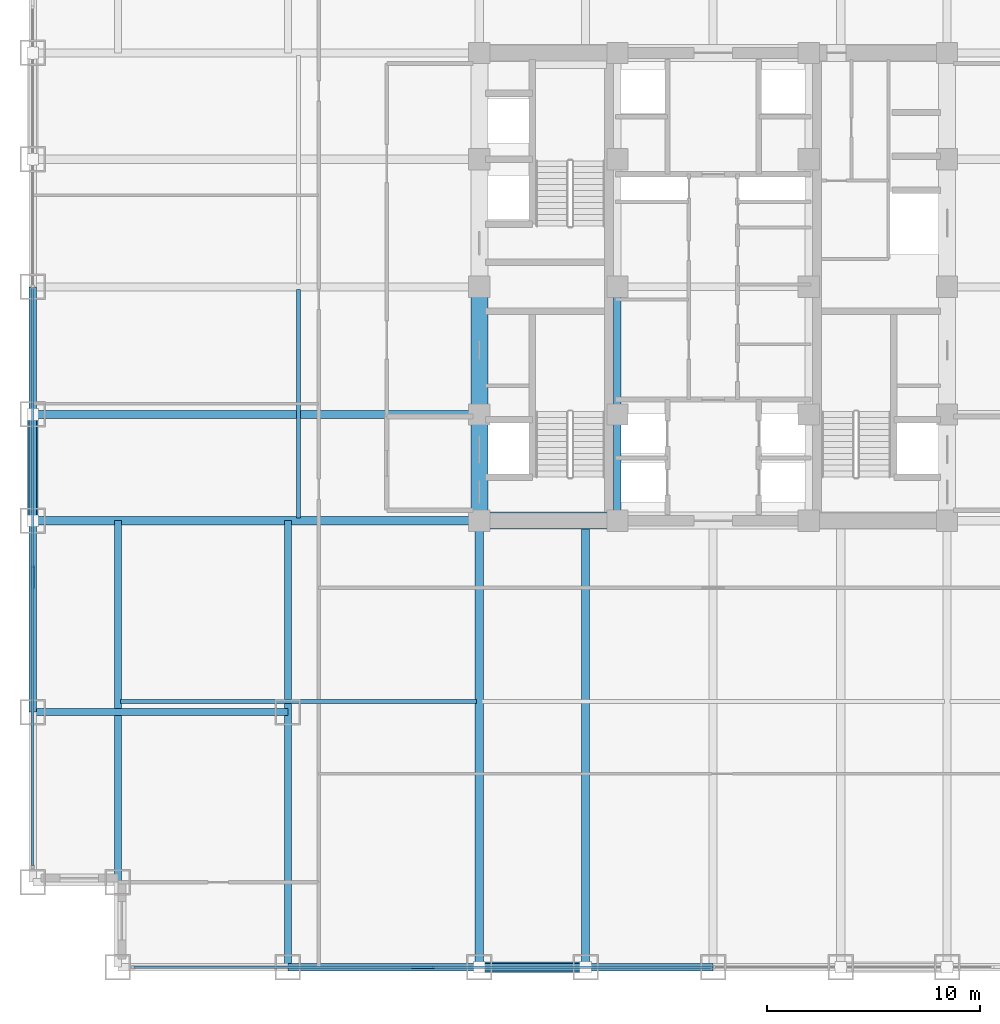
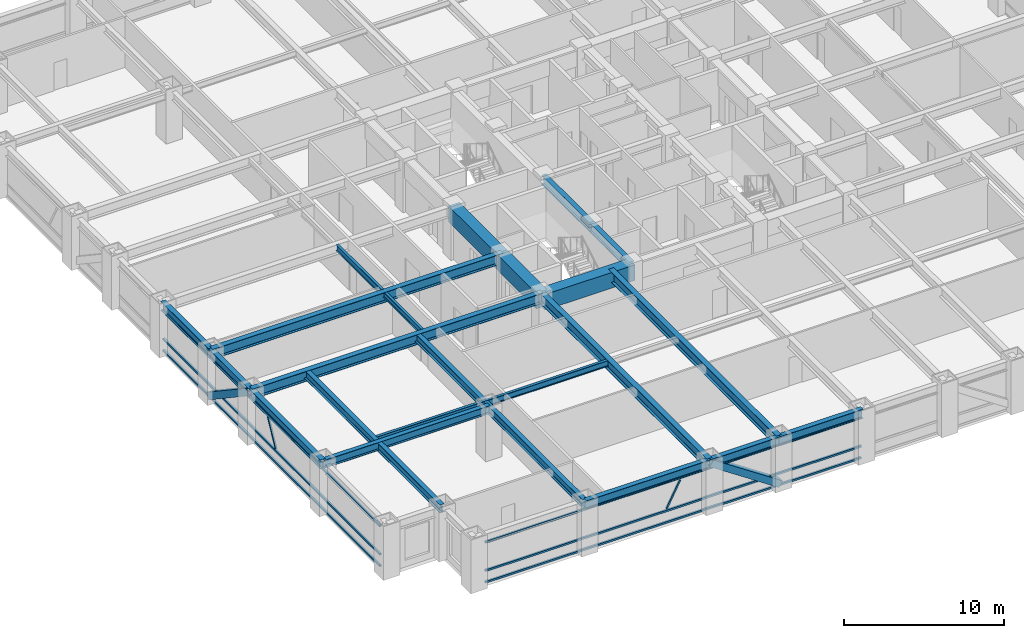
# One storey, part 3 of 28: 20 beams, 10 members, 2 elements without a shape of their own.
"""IFC4 building model written with IfcOpenShell, lengths in metres."""

from ifc_helpers import new_model, si_unit, direction, frame, origin, origin_2d, place, context, subcontext, project, spatial, rectangle, hollow_rectangle, i_section, extrude, source, transform, mapped, material, material_profile, profile_set, type_object, element, aggregate, save


model = new_model("IFC4")

# Units and contexts
model_context = context("Model", 3, precision=1e-05, world=origin(), true_north=direction((0.0, 1.0)))
body_context = subcontext(model_context, "Body", "Model", "MODEL_VIEW")
ifc_project = project(units=[si_unit("LENGTHUNIT", "METRE"), si_unit("AREAUNIT", "SQUARE_METRE"), si_unit("VOLUMEUNIT", "CUBIC_METRE"), si_unit("PLANEANGLEUNIT", "RADIAN"), si_unit("MASSUNIT", "GRAM", prefix="KILO")], contexts=[model_context])

# Site, building, storey
site_placement = place(None, origin())
site = spatial("IfcSite", under=ifc_project, at=site_placement, CompositionType="ELEMENT")
building_placement = place(site_placement, origin())
building = spatial("IfcBuilding", under=site, at=building_placement, Name="Khorayat Bourse Tower", CompositionType="ELEMENT")
storey_placement = place(building_placement, frame((0.0, 0.0, 124.199951171875)))
storey = spatial("IfcBuildingStorey", under=building, at=storey_placement, Name="L28", CompositionType="ELEMENT", Elevation=124.199951171875)

# Beams
ifc_material_1 = material(Name="Concrete C72/90", Category="concrete")
ifc_material_profile_1 = material_profile(ifc_material_1, rectangle(XDim=0.800048828125, YDim=1.199951171875, at=origin_2d()), Name="RC 800x1200")
ifc_profile_set_1 = profile_set([ifc_material_profile_1], Name="Concrete C72/90")
beam_type_1 = type_object("IfcBeamType", Name="BM-COUP-1200", PredefinedType="BEAM", material=ifc_profile_set_1)
shared_shape_1 = source(origin(), body_context, "Body", "SweptSolid", [
    extrude(rectangle(XDim=0.800048828125, YDim=1.199951171875, at=origin_2d()), origin(), (0.0, 0.0, 1.0), 5.0),
])
beam_1_placement = place(storey_placement, frame((-11.0, -11.0, 3.239990234375), z_axis=(0.0, 1.0, 0.0), x_axis=(-1.0, 0.0, 0.0)))
element("IfcBeam", 1, at=beam_1_placement, inside=storey, type_object=beam_type_1, Name="L28 BM-COUP-1200 BM-L28-CRX-01", PredefinedType="BEAM", context=body_context, shape_type="MappedRepresentation", body=[
    mapped(shared_shape_1, transform((0.0, 0.0, 0.0), scale=1.0)),
])
shared_shape_2 = source(origin(), body_context, "Body", "SweptSolid", [
    extrude(rectangle(XDim=0.800048828125, YDim=1.199951171875, at=origin_2d()), origin(), (0.0, 0.0, 1.0), 6.0),
])
beam_2_placement = place(storey_placement, frame((-11.0, -6.0, 3.239990234375), z_axis=(0.0, 1.0, 0.0), x_axis=(-1.0, 0.0, 0.0)))
element("IfcBeam", 2, at=beam_2_placement, inside=storey, type_object=beam_type_1, Name="L28 BM-COUP-1200 BM-L28-CRX-02", PredefinedType="BEAM", context=body_context, shape_type="MappedRepresentation", body=[
    mapped(shared_shape_2, transform((0.0, 0.0, 0.0), scale=1.0)),
])
ifc_material_2 = material(Name="Steel ASTM A992 Grade 50", Category="steel")
ifc_material_profile_2 = material_profile(ifc_material_2, i_section(OverallWidth=0.35498046875, OverallDepth=0.695068359375, WebThickness=0.015380859375, FlangeThickness=0.02490234375, FilletRadius=0.01806640625, at=origin_2d()), Name="W690X217")
ifc_profile_set_2 = profile_set([ifc_material_profile_2], Name="Steel ASTM A992 Grade 50")
beam_type_2 = type_object("IfcBeamType", Name="BM-GIRD-690", PredefinedType="BEAM", material=ifc_profile_set_2)
shared_shape_3 = source(origin(), body_context, "Body", "SweptSolid", [
    extrude(i_section(OverallWidth=0.35498046875, OverallDepth=0.695068359375, WebThickness=0.015380859375, FlangeThickness=0.02490234375, FilletRadius=0.01806640625, at=origin_2d()), origin(), (0.0, 0.0, 1.0), 5.0),
])
beam_3_placement = place(storey_placement, frame((-4.5, -11.0, 3.492431640625), z_axis=(0.0, 1.0, 0.0), x_axis=(-1.0, 0.0, 0.0)))
element("IfcBeam", 3, at=beam_3_placement, inside=storey, type_object=beam_type_2, Name="L28 BM-GIRD-690 BM-L28-CRX-05", PredefinedType="BEAM", context=body_context, shape_type="MappedRepresentation", body=[
    mapped(shared_shape_3, transform((0.0, 0.0, 0.0), scale=1.0)),
])
shared_shape_4 = source(origin(), body_context, "Body", "SweptSolid", [
    extrude(i_section(OverallWidth=0.35498046875, OverallDepth=0.695068359375, WebThickness=0.015380859375, FlangeThickness=0.02490234375, FilletRadius=0.01806640625, at=origin_2d()), origin(), (0.0, 0.0, 1.0), 6.0),
])
beam_4_placement = place(storey_placement, frame((-4.5, -6.0, 3.492431640625), z_axis=(0.0, 1.0, 0.0), x_axis=(-1.0, 0.0, 0.0)))
element("IfcBeam", 4, at=beam_4_placement, inside=storey, type_object=beam_type_2, Name="L28 BM-GIRD-690 BM-L28-CRX-06", PredefinedType="BEAM", context=body_context, shape_type="MappedRepresentation", body=[
    mapped(shared_shape_4, transform((0.0, 0.0, 0.0), scale=1.0)),
])
shared_shape_5 = source(origin(), body_context, "Body", "SweptSolid", [
    extrude(rectangle(XDim=0.800048828125, YDim=1.199951171875, at=origin_2d()), origin(), (0.0, 0.0, 1.0), 6.5),
])
beam_5_placement = place(storey_placement, frame((-11.0, -11.0, 3.239990234375), z_axis=(1.0, 0.0, 0.0), x_axis=(0.0, 1.0, 0.0)))
element("IfcBeam", 5, at=beam_5_placement, inside=storey, type_object=beam_type_1, Name="L28 BM-COUP-1200 BM-L28-CRY-17", PredefinedType="BEAM", context=body_context, shape_type="MappedRepresentation", body=[
    mapped(shared_shape_5, transform((0.0, 0.0, 0.0), scale=1.0)),
])
ifc_material_profile_3 = material_profile(ifc_material_2, i_section(OverallWidth=0.35498046875, OverallDepth=0.695068359375, WebThickness=0.015380859375, FlangeThickness=0.02490234375, FilletRadius=0.01806640625, at=origin_2d()), Name="W690X217")
ifc_profile_set_3 = profile_set([ifc_material_profile_3], Name="Steel ASTM A992 Grade 50")
beam_type_3 = type_object("IfcBeamType", Name="BM-SPAN-690", PredefinedType="SPANDREL", material=ifc_profile_set_3)
shared_shape_6 = source(origin(), body_context, "Body", "SweptSolid", [
    extrude(i_section(OverallWidth=0.35498046875, OverallDepth=0.695068359375, WebThickness=0.015380859375, FlangeThickness=0.02490234375, FilletRadius=0.01806640625, at=origin_2d()), origin(), (0.0, 0.0, 1.0), 9.0),
])
for number, where, z_axis, x_axis, name in (
    (6, (-20.0, -32.0, 3.492431640625), (1.0, 0.0, 0.0), (0.0, 1.0, 0.0), "L28 BM-SPAN-690 BM-L28-SPN-025"),
    (7, (-32.0, -20.0, 3.492431640625), (0.0, 1.0, 0.0), (-1.0, 0.0, 0.0), "L28 BM-SPAN-690 BM-L28-SPN-060"),
):
    element("IfcBeam", number, at=place(storey_placement, frame(where, z_axis=z_axis, x_axis=x_axis)), inside=storey, type_object=beam_type_3, Name=name, PredefinedType="SPANDREL", context=body_context, shape_type="MappedRepresentation", body=[
        mapped(shared_shape_6, transform((0.0, 0.0, 0.0), scale=1.0)),
    ])
shared_shape_7 = source(origin(), body_context, "Body", "SweptSolid", [
    extrude(i_section(OverallWidth=0.35498046875, OverallDepth=0.695068359375, WebThickness=0.015380859375, FlangeThickness=0.02490234375, FilletRadius=0.01806640625, at=origin_2d()), origin(), (0.0, 0.0, 1.0), 5.0),
])
for number, where, z_axis, x_axis, name in (
    (8, (-11.0, -32.0, 3.492431640625), (1.0, 0.0, 0.0), (0.0, 1.0, 0.0), "L28 BM-SPAN-690 BM-L28-SPN-026"),
    (9, (-32.0, -11.0, 3.492431640625), (0.0, 1.0, 0.0), (-1.0, 0.0, 0.0), "L28 BM-SPAN-690 BM-L28-SPN-059"),
):
    element("IfcBeam", number, at=place(storey_placement, frame(where, z_axis=z_axis, x_axis=x_axis)), inside=storey, type_object=beam_type_3, Name=name, PredefinedType="SPANDREL", context=body_context, shape_type="MappedRepresentation", body=[
        mapped(shared_shape_7, transform((0.0, 0.0, 0.0), scale=1.0)),
    ])
shared_shape_8 = source(origin(), body_context, "Body", "SweptSolid", [
    extrude(i_section(OverallWidth=0.35498046875, OverallDepth=0.695068359375, WebThickness=0.015380859375, FlangeThickness=0.02490234375, FilletRadius=0.01806640625, at=origin_2d()), origin(), (0.0, 0.0, 1.0), 6.0),
])
for number, where, z_axis, x_axis, name in (
    (10, (-6.0, -32.0, 3.492431640625), (1.0, 0.0, 0.0), (0.0, 1.0, 0.0), "L28 BM-SPAN-690 BM-L28-SPN-027"),
    (11, (-32.0, -6.0, 3.492431640625), (0.0, 1.0, 0.0), (-1.0, 0.0, 0.0), "L28 BM-SPAN-690 BM-L28-SPN-058"),
):
    element("IfcBeam", number, at=place(storey_placement, frame(where, z_axis=z_axis, x_axis=x_axis)), inside=storey, type_object=beam_type_3, Name=name, PredefinedType="SPANDREL", context=body_context, shape_type="MappedRepresentation", body=[
        mapped(shared_shape_8, transform((0.0, 0.0, 0.0), scale=1.0)),
    ])
ifc_material_profile_4 = material_profile(ifc_material_2, i_section(OverallWidth=0.324951171875, OverallDepth=0.615966796875, WebThickness=0.013916015625, FlangeThickness=0.021484375, FilletRadius=0.01611328125, at=origin_2d()), Name="W610X174")
ifc_profile_set_4 = profile_set([ifc_material_profile_4], Name="Steel ASTM A992 Grade 50")
beam_type_4 = type_object("IfcBeamType", Name="BM-GIRD-610", PredefinedType="BEAM", material=ifc_profile_set_4)
shared_shape_9 = source(origin(), body_context, "Body", "SweptSolid", [
    extrude(i_section(OverallWidth=0.324951171875, OverallDepth=0.615966796875, WebThickness=0.013916015625, FlangeThickness=0.021484375, FilletRadius=0.01611328125, at=origin_2d()), origin(), (0.0, 0.0, 1.0), 21.0),
])
beam_6_placement = place(storey_placement, frame((-20.0, -32.0, 3.531982421875), z_axis=(0.0, 1.0, 0.0), x_axis=(-1.0, 0.0, 0.0)))
element("IfcBeam", 12, at=beam_6_placement, inside=storey, type_object=beam_type_4, Name="L28 BM-GIRD-610 BM-L28-CNRY-084", PredefinedType="BEAM", context=body_context, shape_type="MappedRepresentation", body=[
    mapped(shared_shape_9, transform((0.0, 0.0, 0.0), scale=1.0)),
])
shared_shape_10 = source(origin(), body_context, "Body", "SweptSolid", [
    extrude(i_section(OverallWidth=0.324951171875, OverallDepth=0.615966796875, WebThickness=0.013916015625, FlangeThickness=0.021484375, FilletRadius=0.01611328125, at=origin_2d()), origin(), (0.0, 0.0, 1.0), 12.0),
])
beam_7_placement = place(storey_placement, frame((-32.0, -20.0, 3.531982421875), z_axis=(1.0, 0.0, 0.0), x_axis=(0.0, 1.0, 0.0)))
element("IfcBeam", 13, at=beam_7_placement, inside=storey, type_object=beam_type_4, Name="L28 BM-GIRD-610 BM-L28-CNRX-093", PredefinedType="BEAM", context=body_context, shape_type="MappedRepresentation", body=[
    mapped(shared_shape_10, transform((0.0, 0.0, 0.0), scale=1.0)),
])
ifc_material_profile_5 = material_profile(ifc_material_2, i_section(OverallWidth=0.194091796875, OverallDepth=0.468994140625, WebThickness=0.0126953125, FlangeThickness=0.0205078125, FilletRadius=0.012939453125, at=origin_2d()), Name="W460X106")
ifc_profile_set_5 = profile_set([ifc_material_profile_5], Name="Steel ASTM A992 Grade 50")
beam_type_5 = type_object("IfcBeamType", Name="BM-JOIST-460", PredefinedType="JOIST", material=ifc_profile_set_5)
shared_shape_11 = source(origin(), body_context, "Body", "SweptSolid", [
    extrude(i_section(OverallWidth=0.194091796875, OverallDepth=0.468994140625, WebThickness=0.0126953125, FlangeThickness=0.0205078125, FilletRadius=0.012939453125, at=origin_2d()), origin(), (0.0, 0.0, 1.0), 10.740234375),
])
beam_8_placement = place(storey_placement, frame((-19.5, -10.8701171875, 3.60546875), z_axis=(0.0, 1.0, 0.0), x_axis=(-1.0, 0.0, 0.0)))
element("IfcBeam", 14, at=beam_8_placement, inside=storey, type_object=beam_type_5, Name="L28 BM-JOIST-460 BM-L28-JSTY-102", PredefinedType="JOIST", context=body_context, shape_type="MappedRepresentation", body=[
    mapped(shared_shape_11, transform((0.0, 0.0, 0.0), scale=1.0)),
])
ifc_material_profile_6 = material_profile(ifc_material_2, i_section(OverallWidth=0.381103515625, OverallDepth=0.77294921875, WebThickness=0.0166015625, FlangeThickness=0.027587890625, FilletRadius=0.01806640625, at=origin_2d()), Name="W760X257")
ifc_profile_set_6 = profile_set([ifc_material_profile_6], Name="Steel ASTM A992 Grade 50")
beam_type_6 = type_object("IfcBeamType", Name="BM-GIRD-760", PredefinedType="BEAM", material=ifc_profile_set_6)
shared_shape_12 = source(origin(), body_context, "Body", "SweptSolid", [
    extrude(i_section(OverallWidth=0.381103515625, OverallDepth=0.77294921875, WebThickness=0.0166015625, FlangeThickness=0.027587890625, FilletRadius=0.01806640625, at=origin_2d()), origin(), (0.0, 0.0, 1.0), 21.0),
])
for number, where, z_axis, x_axis, name in (
    (15, (-11.0, -32.0, 3.45361328125), (0.0, 1.0, 0.0), (-1.0, 0.0, 0.0), "L28 BM-GIRD-760 BM-L28-RADY-065"),
    (16, (-6.0, -32.0, 3.45361328125), (0.0, 1.0, 0.0), (-1.0, 0.0, 0.0), "L28 BM-GIRD-760 BM-L28-RADY-067"),
    (17, (-32.0, -11.0, 3.45361328125), (1.0, 0.0, 0.0), (0.0, 1.0, 0.0), "L28 BM-GIRD-760 BM-L28-RADX-075"),
    (18, (-32.0, -6.0, 3.45361328125), (1.0, 0.0, 0.0), (0.0, 1.0, 0.0), "L28 BM-GIRD-760 BM-L28-RADX-077"),
):
    element("IfcBeam", number, at=place(storey_placement, frame(where, z_axis=z_axis, x_axis=x_axis)), inside=storey, type_object=beam_type_6, Name=name, PredefinedType="BEAM", context=body_context, shape_type="MappedRepresentation", body=[
        mapped(shared_shape_12, transform((0.0, 0.0, 0.0), scale=1.0)),
    ])
shared_shape_13 = source(origin(), body_context, "Body", "SweptSolid", [
    extrude(i_section(OverallWidth=0.324951171875, OverallDepth=0.615966796875, WebThickness=0.013916015625, FlangeThickness=0.021484375, FilletRadius=0.01611328125, at=origin_2d()), origin(), (0.0, 0.0, 1.0), 17.0),
])
beam_9_placement = place(storey_placement, frame((-28.0, -28.0, 3.531982421875), z_axis=(0.0, 1.0, 0.0), x_axis=(-1.0, 0.0, 0.0)))
element("IfcBeam", 19, at=beam_9_placement, inside=storey, type_object=beam_type_4, Name="L28 BM-GIRD-610 BM-L28-CNRY-088", PredefinedType="BEAM", context=body_context, shape_type="MappedRepresentation", body=[
    mapped(shared_shape_13, transform((0.0, 0.0, 0.0), scale=1.0)),
])
shared_shape_14 = source(origin(), body_context, "Body", "SweptSolid", [
    extrude(i_section(OverallWidth=0.194091796875, OverallDepth=0.468994140625, WebThickness=0.0126953125, FlangeThickness=0.0205078125, FilletRadius=0.012939453125, at=origin_2d()), origin(), (0.0, 0.0, 1.0), 16.740234375),
])
beam_10_placement = place(storey_placement, frame((-27.8701171875, -19.5, 3.60546875), z_axis=(1.0, 0.0, 0.0), x_axis=(0.0, 1.0, 0.0)))
element("IfcBeam", 20, at=beam_10_placement, inside=storey, type_object=beam_type_5, Name="L28 BM-JOIST-460 BM-L28-JSTX-096", PredefinedType="JOIST", context=body_context, shape_type="MappedRepresentation", body=[
    mapped(shared_shape_14, transform((0.0, 0.0, 0.0), scale=1.0)),
])

# Members
ifc_material_3 = material(Name="Steel EN 10025-4 S460M", Category="steel")
ifc_material_profile_7 = material_profile(ifc_material_3, hollow_rectangle(XDim=0.5, YDim=0.5, WallThickness=0.028076171875, at=origin_2d()), Name="HSS 500x500x28")
ifc_profile_set_7 = profile_set([ifc_material_profile_7], Name="Steel EN 10025-4 S460M")
member_type_1 = type_object("IfcMemberType", Name="MBR-TUBE-500", PredefinedType="BRACE", material=ifc_profile_set_7)
shared_shape_15 = source(origin(), body_context, "Body", "SweptSolid", [
    extrude(hollow_rectangle(XDim=0.5, YDim=0.5, WallThickness=0.028076171875, at=origin_2d()), origin(), (0.0, 0.0, 1.0), 6.012939453125),
])
for number, where, z_axis, x_axis, name in (
    (21, (-11.0, -32.0, 3.590087890625), (0.831531473026, 0.0, -0.555477640745), (0.0, 1.0, 0.0), "L28 Perimeter Tube Brace 01"),
    (22, (-32.0, -11.0, 3.590087890625), (0.0, 0.831531473026, -0.555477640745), (-1.0, 0.0, 0.0), "L28 Perimeter Tube Brace 05"),
):
    element("IfcMember", number, at=place(storey_placement, frame(where, z_axis=z_axis, x_axis=x_axis)), inside=storey, type_object=member_type_1, Name=name, PredefinedType="BRACE", context=body_context, shape_type="MappedRepresentation", body=[
        mapped(shared_shape_15, transform((0.0, 0.0, 0.0), scale=1.0)),
    ])

# Curtain wall, members
ifc_material_4 = material(Name="Aluminium EN AW-6063 T6", Category="aluminium")
curtain_wall_type = type_object("IfcCurtainWallType", Name="CW-SYS-02", PredefinedType="NOTDEFINED", material=ifc_material_4)
curtain_wall_1_placement = place(storey_placement, origin())
curtain_wall_1 = element("IfcCurtainWall", 23, at=curtain_wall_1_placement, inside=storey, type_object=curtain_wall_type, Name="L28 Curtain Wall CW-L28-S1", PredefinedType="NOTDEFINED")
ifc_material_profile_8 = material_profile(ifc_material_4, hollow_rectangle(XDim=0.139892578125, YDim=0.139892578125, WallThickness=0.006103515625, at=origin_2d()), Name="ALU 140x140x6")
ifc_profile_set_8 = profile_set([ifc_material_profile_8], Name="Aluminium EN AW-6063 T6")
member_type_2 = type_object("IfcMemberType", Name="CWT-HORZ-140", PredefinedType="USERDEFINED", material=ifc_profile_set_8)
shared_shape_16 = source(origin(), body_context, "Body", "SweptSolid", [
    extrude(hollow_rectangle(XDim=0.139892578125, YDim=0.139892578125, WallThickness=0.006103515625, at=origin_2d()), origin(), (0.0, 0.0, 1.0), 27.139892578125),
])
member_1_placement = place(storey_placement, frame((-27.2099609375, -32.0, 0.070068359375), z_axis=(1.0, 0.0, 0.0), x_axis=(0.0, 1.0, 0.0)))
member_1 = element("IfcMember", 24, at=member_1_placement, type_object=member_type_2, Name="CW-L28-S1 Horizontal Transom 1-1", ObjectType="TRANSOM", PredefinedType="USERDEFINED", context=body_context, shape_type="MappedRepresentation", body=[
    mapped(shared_shape_16, transform((0.0, 0.0, 0.0), scale=1.0)),
])
member_2_placement = place(storey_placement, frame((-27.2099609375, -32.0, 0.949951171875), z_axis=(1.0, 0.0, 0.0), x_axis=(0.0, 1.0, 0.0)))
member_2 = element("IfcMember", 25, at=member_2_placement, type_object=member_type_2, Name="CW-L28-S1 Horizontal Transom 1-2", ObjectType="TRANSOM", PredefinedType="USERDEFINED", context=body_context, shape_type="MappedRepresentation", body=[
    mapped(shared_shape_16, transform((0.0, 0.0, 0.0), scale=1.0)),
])
member_3_placement = place(storey_placement, frame((-27.2099609375, -32.0, 3.1201171875), z_axis=(1.0, 0.0, 0.0), x_axis=(0.0, 1.0, 0.0)))
member_3 = element("IfcMember", 26, at=member_3_placement, type_object=member_type_2, Name="CW-L28-S1 Horizontal Transom 1-3", ObjectType="TRANSOM", PredefinedType="USERDEFINED", context=body_context, shape_type="MappedRepresentation", body=[
    mapped(shared_shape_16, transform((0.0, 0.0, 0.0), scale=1.0)),
])

curtain_wall_2_placement = place(storey_placement, origin())
curtain_wall_2 = element("IfcCurtainWall", 27, at=curtain_wall_2_placement, inside=storey, type_object=curtain_wall_type, Name="L28 Curtain Wall CW-L28-W1", PredefinedType="NOTDEFINED")
member_4_placement = place(storey_placement, frame((-32.0, -27.2099609375, 0.070068359375), z_axis=(0.0, 1.0, 0.0), x_axis=(-1.0, 0.0, 0.0)))
member_4 = element("IfcMember", 28, at=member_4_placement, type_object=member_type_2, Name="CW-L28-W1 Horizontal Transom 1-1", ObjectType="TRANSOM", PredefinedType="USERDEFINED", context=body_context, shape_type="MappedRepresentation", body=[
    mapped(shared_shape_16, transform((0.0, 0.0, 0.0), scale=1.0)),
])
member_5_placement = place(storey_placement, frame((-32.0, -27.2099609375, 0.949951171875), z_axis=(0.0, 1.0, 0.0), x_axis=(-1.0, 0.0, 0.0)))
member_5 = element("IfcMember", 29, at=member_5_placement, type_object=member_type_2, Name="CW-L28-W1 Horizontal Transom 1-2", ObjectType="TRANSOM", PredefinedType="USERDEFINED", context=body_context, shape_type="MappedRepresentation", body=[
    mapped(shared_shape_16, transform((0.0, 0.0, 0.0), scale=1.0)),
])
member_6_placement = place(storey_placement, frame((-32.0, -27.2099609375, 3.1201171875), z_axis=(0.0, 1.0, 0.0), x_axis=(-1.0, 0.0, 0.0)))
member_6 = element("IfcMember", 30, at=member_6_placement, type_object=member_type_2, Name="CW-L28-W1 Horizontal Transom 1-3", ObjectType="TRANSOM", PredefinedType="USERDEFINED", context=body_context, shape_type="MappedRepresentation", body=[
    mapped(shared_shape_16, transform((0.0, 0.0, 0.0), scale=1.0)),
])

# Member
ifc_material_profile_9 = material_profile(ifc_material_4, hollow_rectangle(XDim=0.1201171875, YDim=0.1201171875, WallThickness=0.0048828125, at=origin_2d()), Name="ALU 120x120x5")
ifc_profile_set_9 = profile_set([ifc_material_profile_9], Name="Aluminium EN AW-6063 T6")
member_type_3 = type_object("IfcMemberType", Name="CWM-DIAG-120", PredefinedType="MULLION", material=ifc_profile_set_9)
shared_shape_17 = source(origin(), body_context, "Body", "SweptSolid", [
    extrude(hollow_rectangle(XDim=0.1201171875, YDim=0.1201171875, WallThickness=0.0048828125, at=origin_2d()), origin(), (0.0, 0.0, 1.0), 2.113037109375),
])
member_7_placement = place(storey_placement, frame((-14.132080078125, -32.0, 1.10009765625), z_axis=(0.465741670874, 0.0, 0.884920728659), x_axis=(0.0, 1.0, 0.0)))
member_7 = element("IfcMember", 31, at=member_7_placement, type_object=member_type_3, Name="CW-L28-S1 Faceted Diagonal Mullion 1", PredefinedType="MULLION", context=body_context, shape_type="MappedRepresentation", body=[
    mapped(shared_shape_17, transform((0.0, 0.0, 0.0), scale=1.0)),
])

aggregate(curtain_wall_1, [member_1, member_2, member_3, member_7])

member_8_placement = place(storey_placement, frame((-32.0, -14.132080078125, 1.10009765625), z_axis=(0.0, 0.465741670874, 0.884920728659), x_axis=(-1.0, 0.0, 0.0)))
member_8 = element("IfcMember", 32, at=member_8_placement, type_object=member_type_3, Name="CW-L28-W1 Faceted Diagonal Mullion 1", PredefinedType="MULLION", context=body_context, shape_type="MappedRepresentation", body=[
    mapped(shared_shape_17, transform((0.0, 0.0, 0.0), scale=1.0)),
])

aggregate(curtain_wall_2, [member_4, member_5, member_6, member_8])

save(model, "model.ifc")
